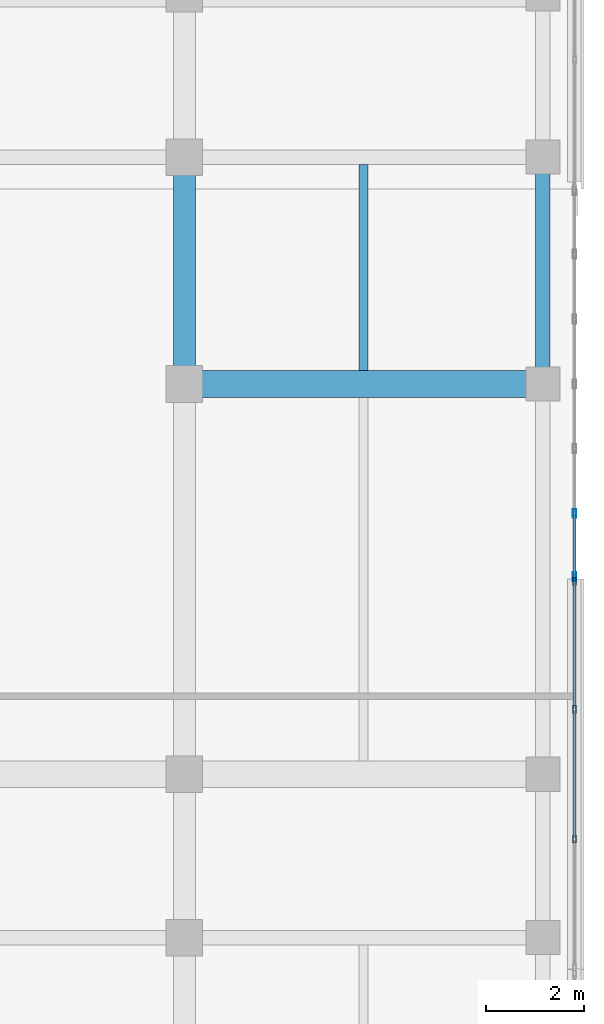
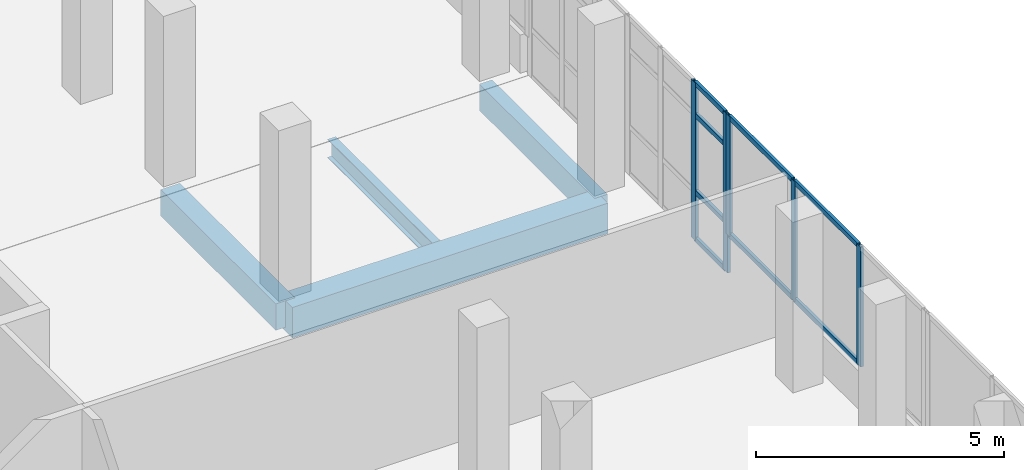
# One storey, part 131 of 184: 13 members, 4 beams, 2 elements without a shape of their own.
"""IFC4 building model written with IfcOpenShell, lengths in metres."""

from ifc_helpers import new_model, si_unit, direction, frame, origin, origin_2d, place, context, subcontext, project, spatial, rectangle, hollow_rectangle, i_section, extrude, material, material_profile, profile_set, type_object, element, aggregate, save


model = new_model("IFC4")

# Units and contexts
model_context = context("Model", 3, precision=1e-05, world=origin(), true_north=direction((0.0, 1.0)))
body_context = subcontext(model_context, "Body", "Model", "MODEL_VIEW")
ifc_project = project(units=[si_unit("LENGTHUNIT", "METRE"), si_unit("AREAUNIT", "SQUARE_METRE"), si_unit("VOLUMEUNIT", "CUBIC_METRE"), si_unit("PLANEANGLEUNIT", "RADIAN"), si_unit("MASSUNIT", "GRAM", prefix="KILO")], contexts=[model_context])

# Site, building, storey
site_placement = place(None, origin())
site = spatial("IfcSite", under=ifc_project, at=site_placement, CompositionType="ELEMENT")
building_placement = place(site_placement, origin())
building = spatial("IfcBuilding", under=site, at=building_placement, Name="Selatvlak General Hospital", CompositionType="ELEMENT")
storey_placement = place(building_placement, frame((0.0, 0.0, 15.0)))
storey = spatial("IfcBuildingStorey", under=building, at=storey_placement, Name="L03", CompositionType="ELEMENT", Elevation=15.0)

# Beams
ifc_material_1 = material(Name="Concrete C40/50", Category="concrete")
ifc_material_profile_1 = material_profile(ifc_material_1, rectangle(XDim=0.550048828125, YDim=0.75, at=origin_2d()), Name="RC-BM 550x750")
ifc_profile_set_1 = profile_set([ifc_material_profile_1], Name="Concrete C40/50")
beam_type_1 = type_object("IfcBeamType", Name="BM-G02", PredefinedType="BEAM", material=ifc_profile_set_1)
beam_1_placement = place(storey_placement, frame((174.0, 84.0, -0.715087890625), z_axis=(1.0, 0.0, 0.0), x_axis=(0.0, 1.0, 0.0)))
element("IfcBeam", 1, at=beam_1_placement, inside=storey, type_object=beam_type_1, Name="Beam BMR-L03-1184", PredefinedType="BEAM", context=body_context, shape_type="SweptSolid", body=[
    extrude(rectangle(XDim=0.550048828125, YDim=0.75, at=origin_2d()), origin(), (0.0, 0.0, 1.0), 7.35009765625),
])
ifc_material_profile_2 = material_profile(ifc_material_1, rectangle(XDim=0.449951171875, YDim=0.64990234375, at=origin_2d()), Name="RC-BM 450x650")
ifc_profile_set_2 = profile_set([ifc_material_profile_2], Name="Concrete C40/50")
beam_type_2 = type_object("IfcBeamType", Name="BM-G04", PredefinedType="BEAM", material=ifc_profile_set_2)
beam_2_placement = place(storey_placement, frame((174.0, 84.0, -0.6650390625), z_axis=(0.0, 1.0, 0.0), x_axis=(-1.0, 0.0, 0.0)))
element("IfcBeam", 2, at=beam_2_placement, inside=storey, type_object=beam_type_2, Name="Beam BMR-L03-1413", PredefinedType="BEAM", context=body_context, shape_type="SweptSolid", body=[
    extrude(rectangle(XDim=0.449951171875, YDim=0.64990234375, at=origin_2d()), origin(), (0.0, 0.0, 1.0), 4.64990234375),
])
ifc_material_2 = material(Name="Steel S355", Category="steel")
ifc_material_profile_3 = material_profile(ifc_material_2, i_section(OverallWidth=0.1904296875, OverallDepth=0.45703125, WebThickness=0.009033203125, FlangeThickness=0.014404296875, at=origin_2d()), Name="UB 457x191x74")
ifc_profile_set_3 = profile_set([ifc_material_profile_3], Name="Steel S355")
beam_type_3 = type_object("IfcBeamType", Name="BM-J03", PredefinedType="JOIST", material=ifc_profile_set_3)
beam_3_placement = place(storey_placement, frame((177.675048828125, 84.27490234375, -0.569091796875), z_axis=(0.0, 1.0, 0.0), x_axis=(-1.0, 0.0, 0.0)))
element("IfcBeam", 3, at=beam_3_placement, inside=storey, type_object=beam_type_3, Name="Beam BMR-L03-1440", PredefinedType="JOIST", context=body_context, shape_type="SweptSolid", body=[
    extrude(i_section(OverallWidth=0.1904296875, OverallDepth=0.45703125, WebThickness=0.009033203125, FlangeThickness=0.014404296875, at=origin_2d()), origin(), (0.0, 0.0, 1.0), 4.22509765625),
])
ifc_material_profile_4 = material_profile(ifc_material_1, rectangle(XDim=0.300048828125, YDim=0.64990234375, at=origin_2d()), Name="RC-SP 300x650")
ifc_profile_set_4 = profile_set([ifc_material_profile_4], Name="Concrete C40/50")
beam_type_4 = type_object("IfcBeamType", Name="BM-SP1", PredefinedType="SPANDREL", material=ifc_profile_set_4)
beam_4_placement = place(storey_placement, frame((181.35009765625, 84.0, -0.6650390625), z_axis=(0.0, 1.0, 0.0), x_axis=(-1.0, 0.0, 0.0)))
element("IfcBeam", 4, at=beam_4_placement, inside=storey, type_object=beam_type_4, Name="Beam BMR-L03-1423", PredefinedType="SPANDREL", context=body_context, shape_type="SweptSolid", body=[
    extrude(rectangle(XDim=0.300048828125, YDim=0.64990234375, at=origin_2d()), origin(), (0.0, 0.0, 1.0), 4.64990234375),
])

# Curtain wall, members
ifc_material_3 = material(Name="Solar-control Low-E double glazing", Category="glass")
curtain_wall_type_1 = type_object("IfcCurtainWallType", Name="CW-CW-02", PredefinedType="USERDEFINED", material=ifc_material_3)
curtain_wall_1_placement = place(storey_placement, origin())
curtain_wall_1 = element("IfcCurtainWall", 5, at=curtain_wall_1_placement, inside=storey, type_object=curtain_wall_type_1, Name="Glazed facade curtain wall CW-L03-0389", ObjectType="UNITISED CURTAIN WALL", PredefinedType="USERDEFINED")
ifc_material_4 = material(Name="Dark anodised aluminium mullion", Category="aluminium")
ifc_material_profile_5 = material_profile(ifc_material_4, hollow_rectangle(XDim=0.06494140625, YDim=0.159912109375, WallThickness=0.00390625, at=origin_2d()), Name="AL-MUL 65x160x4")
ifc_profile_set_5 = profile_set([ifc_material_profile_5], Name="Dark anodised aluminium mullion")
member_type_1 = type_object("IfcMemberType", Name="CWM-01", PredefinedType="MULLION", material=ifc_profile_set_5)
member_1_placement = place(storey_placement, frame((182.0, 79.95361328125, 0.93994140625), z_axis=(0.0, 0.0, 1.0), x_axis=(1.0, 0.0, 0.0)))
member_1 = element("IfcMember", 6, at=member_1_placement, type_object=member_type_1, Name="CW-02 mullion 1", PredefinedType="MULLION", context=body_context, shape_type="SweptSolid", body=[
    extrude(hollow_rectangle(XDim=0.06494140625, YDim=0.159912109375, WallThickness=0.00390625, at=origin_2d()), origin(), (0.0, 0.0, 1.0), 2.955078125),
])
member_2_placement = place(storey_placement, frame((182.0, 77.329345703125, 0.93994140625), z_axis=(0.0, 0.0, 1.0), x_axis=(1.0, 0.0, 0.0)))
member_2 = element("IfcMember", 7, at=member_2_placement, type_object=member_type_1, Name="CW-02 mullion 2", PredefinedType="MULLION", context=body_context, shape_type="SweptSolid", body=[
    extrude(hollow_rectangle(XDim=0.06494140625, YDim=0.159912109375, WallThickness=0.00390625, at=origin_2d()), origin(), (0.0, 0.0, 1.0), 2.955078125),
])
member_3_placement = place(storey_placement, frame((182.0, 74.672607421875, 0.93994140625), z_axis=(0.0, 0.0, 1.0), x_axis=(1.0, 0.0, 0.0)))
member_3 = element("IfcMember", 8, at=member_3_placement, type_object=member_type_1, Name="CW-02 mullion 3", PredefinedType="MULLION", context=body_context, shape_type="SweptSolid", body=[
    extrude(hollow_rectangle(XDim=0.06494140625, YDim=0.159912109375, WallThickness=0.00390625, at=origin_2d()), origin(), (0.0, 0.0, 1.0), 2.955078125),
])

curtain_wall_type_2 = type_object("IfcCurtainWallType", Name="CW-CW-04", PredefinedType="USERDEFINED", material=ifc_material_3)
curtain_wall_2_placement = place(storey_placement, origin())
curtain_wall_2 = element("IfcCurtainWall", 9, at=curtain_wall_2_placement, inside=storey, type_object=curtain_wall_type_2, Name="Glazed facade curtain wall CW-L03-0388", ObjectType="STICK GLAZING WALL", PredefinedType="USERDEFINED")
ifc_material_profile_6 = material_profile(ifc_material_4, hollow_rectangle(XDim=0.06494140625, YDim=0.179931640625, WallThickness=0.00439453125, at=origin_2d()), Name="AL-MUL 65x180x4.5")
ifc_profile_set_6 = profile_set([ifc_material_profile_6], Name="Dark anodised aluminium mullion")
member_type_2 = type_object("IfcMemberType", Name="CWM-02", PredefinedType="MULLION", material=ifc_profile_set_6)
member_4_placement = place(storey_placement, frame((182.0, 81.34423828125, 0.0), z_axis=(0.0, 0.0, 1.0), x_axis=(1.0, 0.0, 0.0)))
member_4 = element("IfcMember", 10, at=member_4_placement, type_object=member_type_2, Name="CW-04 mullion 6", PredefinedType="MULLION", context=body_context, shape_type="SweptSolid", body=[
    extrude(hollow_rectangle(XDim=0.06494140625, YDim=0.179931640625, WallThickness=0.00439453125, at=origin_2d()), origin(), (0.0, 0.0, 1.0), 3.89501953125),
])
member_5_placement = place(storey_placement, frame((182.0, 80.048583984375, 0.0), z_axis=(0.0, 0.0, 1.0), x_axis=(1.0, 0.0, 0.0)))
member_5 = element("IfcMember", 11, at=member_5_placement, type_object=member_type_2, Name="CW-04 mullion 7", PredefinedType="MULLION", context=body_context, shape_type="SweptSolid", body=[
    extrude(hollow_rectangle(XDim=0.06494140625, YDim=0.179931640625, WallThickness=0.00439453125, at=origin_2d()), origin(), (0.0, 0.0, 1.0), 3.89501953125),
])
ifc_material_profile_7 = material_profile(ifc_material_4, hollow_rectangle(XDim=0.06494140625, YDim=0.1201171875, WallThickness=0.00390625, at=origin_2d()), Name="AL-TRN 65x120x4")
ifc_profile_set_7 = profile_set([ifc_material_profile_7], Name="Dark anodised aluminium mullion")
member_type_3 = type_object("IfcMemberType", Name="CWT-01", PredefinedType="USERDEFINED", material=ifc_profile_set_7)
member_6_placement = place(storey_placement, frame((182.0, 81.311767578125, 0.032470703125), z_axis=(0.0, -1.0, 0.0), x_axis=(1.0, 0.0, 0.0)))
member_6 = element("IfcMember", 12, at=member_6_placement, type_object=member_type_3, Name="CW-04 transom 6.1", ObjectType="TRANSOM", PredefinedType="USERDEFINED", context=body_context, shape_type="SweptSolid", body=[
    extrude(hollow_rectangle(XDim=0.06494140625, YDim=0.1201171875, WallThickness=0.00390625, at=origin_2d()), origin(), (0.0, 0.0, 1.0), 1.230712890625),
])
member_7_placement = place(storey_placement, frame((182.0, 81.311767578125, 1.199951171875), z_axis=(0.0, -1.0, 0.0), x_axis=(1.0, 0.0, 0.0)))
member_7 = element("IfcMember", 13, at=member_7_placement, type_object=member_type_3, Name="CW-04 transom 6.2", ObjectType="TRANSOM", PredefinedType="USERDEFINED", context=body_context, shape_type="SweptSolid", body=[
    extrude(hollow_rectangle(XDim=0.06494140625, YDim=0.1201171875, WallThickness=0.00390625, at=origin_2d()), origin(), (0.0, 0.0, 1.0), 1.230712890625),
])
member_8_placement = place(storey_placement, frame((182.0, 81.311767578125, 3.094970703125), z_axis=(0.0, -1.0, 0.0), x_axis=(1.0, 0.0, 0.0)))
member_8 = element("IfcMember", 14, at=member_8_placement, type_object=member_type_3, Name="CW-04 transom 6.3", ObjectType="TRANSOM", PredefinedType="USERDEFINED", context=body_context, shape_type="SweptSolid", body=[
    extrude(hollow_rectangle(XDim=0.06494140625, YDim=0.1201171875, WallThickness=0.00390625, at=origin_2d()), origin(), (0.0, 0.0, 1.0), 1.230712890625),
])
member_9_placement = place(storey_placement, frame((182.0, 81.311767578125, 3.862548828125), z_axis=(0.0, -1.0, 0.0), x_axis=(1.0, 0.0, 0.0)))
member_9 = element("IfcMember", 15, at=member_9_placement, type_object=member_type_3, Name="CW-04 transom 6.4", ObjectType="TRANSOM", PredefinedType="USERDEFINED", context=body_context, shape_type="SweptSolid", body=[
    extrude(hollow_rectangle(XDim=0.06494140625, YDim=0.1201171875, WallThickness=0.00390625, at=origin_2d()), origin(), (0.0, 0.0, 1.0), 1.230712890625),
])
aggregate(curtain_wall_2, [member_4, member_5, member_6, member_7, member_8, member_9])

# Member
member_10_placement = place(storey_placement, frame((182.0, 79.9208984375, 0.972412109375), z_axis=(0.0, -1.0, 0.0), x_axis=(1.0, 0.0, 0.0)))
member_10 = element("IfcMember", 16, at=member_10_placement, type_object=member_type_3, Name="CW-02 transom 1.1", ObjectType="TRANSOM", PredefinedType="USERDEFINED", context=body_context, shape_type="SweptSolid", body=[
    extrude(hollow_rectangle(XDim=0.06494140625, YDim=0.1201171875, WallThickness=0.00390625, at=origin_2d()), origin(), (0.0, 0.0, 1.0), 2.55908203125),
])

member_11_placement = place(storey_placement, frame((182.0, 79.9208984375, 3.862548828125), z_axis=(0.0, -1.0, 0.0), x_axis=(1.0, 0.0, 0.0)))
member_11 = element("IfcMember", 17, at=member_11_placement, type_object=member_type_3, Name="CW-02 transom 1.2", ObjectType="TRANSOM", PredefinedType="USERDEFINED", context=body_context, shape_type="SweptSolid", body=[
    extrude(hollow_rectangle(XDim=0.06494140625, YDim=0.1201171875, WallThickness=0.00390625, at=origin_2d()), origin(), (0.0, 0.0, 1.0), 2.55908203125),
])

member_12_placement = place(storey_placement, frame((182.0, 77.296875, 0.972412109375), z_axis=(0.0, -1.0, 0.0), x_axis=(1.0, 0.0, 0.0)))
member_12 = element("IfcMember", 18, at=member_12_placement, type_object=member_type_3, Name="CW-02 transom 2.1", ObjectType="TRANSOM", PredefinedType="USERDEFINED", context=body_context, shape_type="SweptSolid", body=[
    extrude(hollow_rectangle(XDim=0.06494140625, YDim=0.1201171875, WallThickness=0.00390625, at=origin_2d()), origin(), (0.0, 0.0, 1.0), 2.591796875),
])

member_13_placement = place(storey_placement, frame((182.0, 77.296875, 3.862548828125), z_axis=(0.0, -1.0, 0.0), x_axis=(1.0, 0.0, 0.0)))
member_13 = element("IfcMember", 19, at=member_13_placement, type_object=member_type_3, Name="CW-02 transom 2.2", ObjectType="TRANSOM", PredefinedType="USERDEFINED", context=body_context, shape_type="SweptSolid", body=[
    extrude(hollow_rectangle(XDim=0.06494140625, YDim=0.1201171875, WallThickness=0.00390625, at=origin_2d()), origin(), (0.0, 0.0, 1.0), 2.591796875),
])

aggregate(curtain_wall_1, [member_1, member_2, member_3, member_10, member_11, member_12, member_13])

save(model, "model.ifc")
